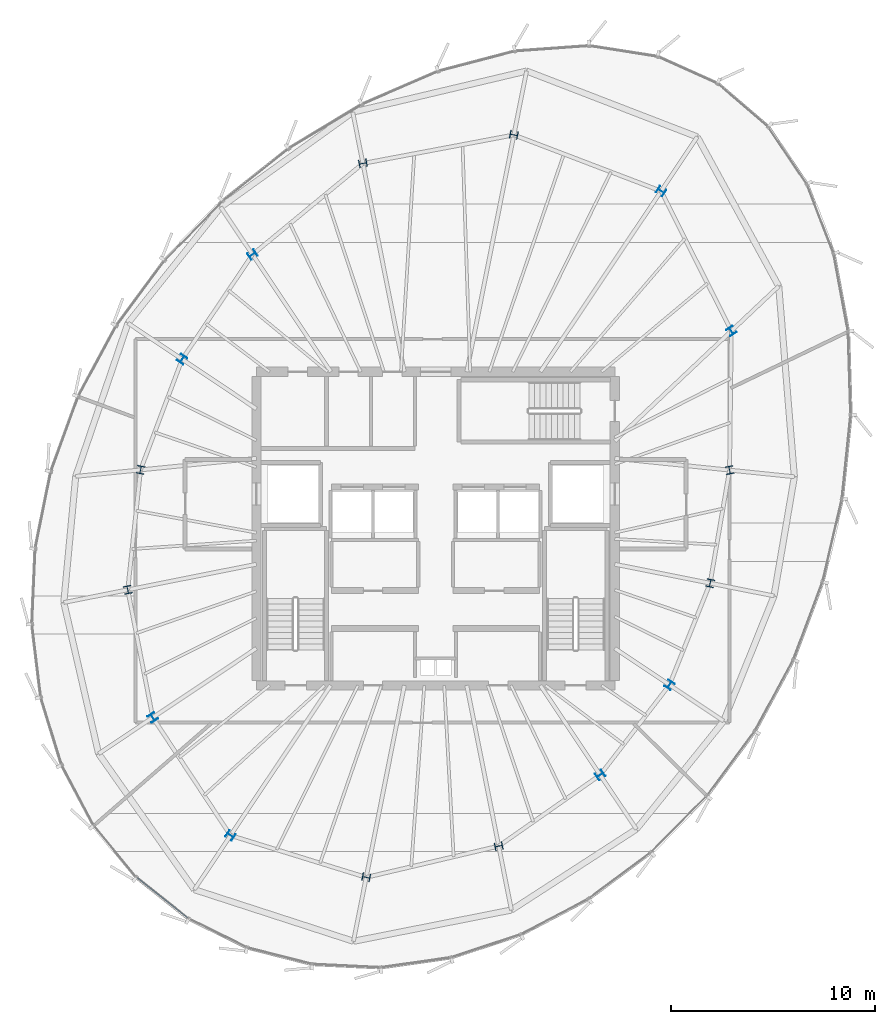
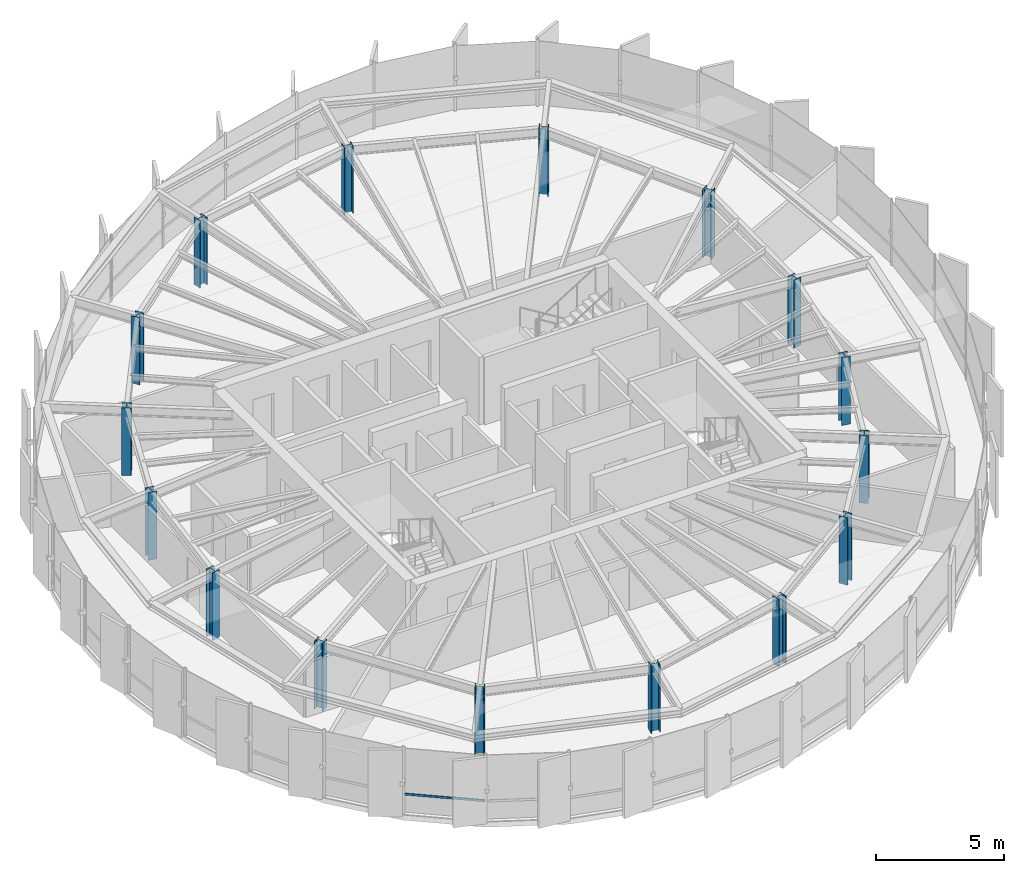
# One storey, part 1 of 33: 16 columns, 1 member, 1 element without a shape of its own.
"""IFC4 building model written with IfcOpenShell, lengths in metres."""

from ifc_helpers import new_model, si_unit, direction, frame, origin, origin_2d, place, context, subcontext, project, spatial, hollow_rectangle, i_section, extrude, source, transform, mapped, material, layer, layer_set, material_profile, profile_set, type_object, element, aggregate, save


model = new_model("IFC4")

# Units and contexts
model_context = context("Model", 3, precision=1e-05, world=origin(), true_north=direction((0.0, 1.0)))
body_context = subcontext(model_context, "Body", "Model", "MODEL_VIEW")
ifc_project = project(units=[si_unit("LENGTHUNIT", "METRE"), si_unit("AREAUNIT", "SQUARE_METRE"), si_unit("VOLUMEUNIT", "CUBIC_METRE"), si_unit("PLANEANGLEUNIT", "RADIAN"), si_unit("MASSUNIT", "GRAM", prefix="KILO"), si_unit("THERMODYNAMICTEMPERATUREUNIT", "KELVIN")], contexts=[model_context])

# Site, building, storey
site_placement = place(None, origin())
site = spatial("IfcSite", under=ifc_project, at=site_placement, CompositionType="ELEMENT")
building_placement = place(site_placement, origin())
building = spatial("IfcBuilding", under=site, at=building_placement, Name="Kethvar Cultural Tower", CompositionType="ELEMENT")
storey_placement = place(building_placement, frame((0.0, 0.0, 266.35009765625)))
storey = spatial("IfcBuildingStorey", under=building, at=storey_placement, Name="L70", CompositionType="ELEMENT", Elevation=266.35009765625)

# Columns
ifc_material_1 = material(Name="Steel S355J2", Category="steel")
ifc_material_profile_1 = material_profile(ifc_material_1, i_section(OverallWidth=0.3740234375, OverallDepth=0.383056640625, WebThickness=0.0166015625, FlangeThickness=0.026123046875, FilletRadius=0.014892578125, at=origin_2d()), Name="Steel S355J2 — HD360x300")
ifc_profile_set_1 = profile_set([ifc_material_profile_1], Name="Steel S355J2 — HD360x300")
column_type = type_object("IfcColumnType", Name="COL-HD300", PredefinedType="COLUMN", material=ifc_profile_set_1)
shared_shape_1 = source(origin(), body_context, "Body", "SweptSolid", [
    extrude(i_section(OverallWidth=0.3740234375, OverallDepth=0.383056640625, WebThickness=0.0166015625, FlangeThickness=0.026123046875, FilletRadius=0.014892578125, at=origin_2d()), origin(), (0.0, 0.0, 1.0), 3.2099609375),
])
for number, where, z_axis, x_axis, name in (
    (1, (61.237060546875, 30.671630859375, 0.0), (0.0, 0.0, 1.0), (0.980785280403, 0.195090322016, 0.0), "L70 Mega-Column MC-01"),
    (2, (61.32568359375, 37.505859375, 0.0), (0.0, 0.0, 1.0), (0.831469612303, 0.55557023302, 0.0), "L70 Mega-Column MC-02"),
    (3, (57.875244140625, 44.375, 0.0), (0.0, 0.0, 1.0), (0.55557023302, 0.831469612303, 0.0), "L70 Mega-Column MC-03"),
    (4, (50.645263671875, 47.131591796875, 0.0), (0.0, 0.0, 1.0), (0.195090322016, 0.980785280403, 0.0), "L70 Mega-Column MC-04"),
    (5, (43.23291015625, 45.732421875, 0.0), (0.0, 0.0, 1.0), (-0.195090322016, 0.980785280403, 0.0), "L70 Mega-Column MC-05"),
    (6, (37.8095703125, 41.255126953125, 0.0), (0.0, 0.0, 1.0), (-0.55557023302, 0.831469612303, 0.0), "L70 Mega-Column MC-06"),
    (7, (34.35595703125, 36.114990234375, 0.0), (0.0, 0.0, 1.0), (-0.831469612303, 0.55557023302, 0.0), "L70 Mega-Column MC-07"),
    (8, (32.3125, 30.681884765625, 0.0), (0.0, 0.0, 1.0), (-0.980785280403, 0.195090322016, 0.0), "L70 Mega-Column MC-08"),
    (9, (31.68310546875, 24.79296875, 0.0), (0.0, 0.0, 1.0), (-0.980785280403, -0.195090322016, 0.0), "L70 Mega-Column MC-09"),
    (10, (32.912841796875, 18.52099609375, 0.0), (0.0, 0.0, 1.0), (-0.831469612303, -0.55557023302, 0.0), "L70 Mega-Column MC-10"),
    (11, (36.731201171875, 12.73095703125, 0.0), (0.0, 0.0, 1.0), (-0.55557023302, -0.831469612303, 0.0), "L70 Mega-Column MC-11"),
    (12, (43.392822265625, 10.67138671875, 0.0), (0.0, 0.0, 1.0), (-0.195090322016, -0.980785280403, 0.0), "L70 Mega-Column MC-12"),
    (13, (49.901611328125, 12.206787109375, 0.0), (0.0, 0.0, 1.0), (0.195090322016, -0.980785280403, 0.0), "L70 Mega-Column MC-13"),
    (14, (54.885009765625, 15.7001953125, 0.0), (0.0, 0.0, 1.0), (0.55557023302, -0.831469612303, 0.0), "L70 Mega-Column MC-14"),
    (15, (58.287109375, 20.12451171875, 0.0), (0.0, 0.0, 1.0), (0.831469612303, -0.55557023302, 0.0), "L70 Mega-Column MC-15"),
    (16, (60.28369140625, 25.117919921875, 0.0), (0.0, 0.0, 1.0), (0.980785280403, -0.195090322016, 0.0), "L70 Mega-Column MC-16"),
):
    element("IfcColumn", number, at=place(storey_placement, frame(where, z_axis=z_axis, x_axis=x_axis)), inside=storey, type_object=column_type, Name=name, PredefinedType="COLUMN", context=body_context, shape_type="MappedRepresentation", body=[
        mapped(shared_shape_1, transform((0.0, 0.0, 0.0), scale=1.0)),
    ])

# Curtain wall, member
ifc_material_2 = material(Name="Aluminium 6063-T6", Category="aluminium")
ifc_layer = layer(ifc_material_2, 0.179931640625, Name="Aluminium 6063-T6", Category="aluminium")
ifc_layer_set = layer_set([ifc_layer], Name="Aluminium 6063-T6 (180 mm)")
curtain_wall_type = type_object("IfcCurtainWallType", Name="CW-SYS-05-Z56", PredefinedType="NOTDEFINED", material=ifc_layer_set)
curtain_wall_placement = place(storey_placement, origin())
curtain_wall = element("IfcCurtainWall", 17, at=curtain_wall_placement, inside=storey, type_object=curtain_wall_type, Name="L70 Curtain Wall Run 03", PredefinedType="NOTDEFINED")
ifc_material_profile_2 = material_profile(ifc_material_2, hollow_rectangle(XDim=0.050048828125, YDim=0.10009765625, WallThickness=0.00390625, at=origin_2d()), Name="Aluminium 6063-T6 — RHS100x50x4")
ifc_profile_set_2 = profile_set([ifc_material_profile_2], Name="Aluminium 6063-T6 — RHS100x50x4")
member_type = type_object("IfcMemberType", Name="CW-SYS-05-Z56-TRN", PredefinedType="USERDEFINED", material=ifc_profile_set_2)
shared_shape_2 = source(origin(), body_context, "Body", "SweptSolid", [
    extrude(hollow_rectangle(XDim=0.050048828125, YDim=0.10009765625, WallThickness=0.00390625, at=origin_2d()), origin(), (0.0, 0.0, 1.0), 3.1806640625),
])
member_placement = place(storey_placement, frame((32.141357421875, 10.65771484375, 0.949951171875), z_axis=(0.78268518527, -0.622417786345, 0.0), x_axis=(0.622417786345, 0.78268518527, 0.0)))
member = element("IfcMember", 18, at=member_placement, type_object=member_type, Name="CW-L70-R03 Transom 6", ObjectType="TRANSOM", PredefinedType="USERDEFINED", context=body_context, shape_type="MappedRepresentation", body=[
    mapped(shared_shape_2, transform((0.0, 0.0, 0.0), scale=1.0)),
])
aggregate(curtain_wall, [member])

save(model, "model.ifc")
